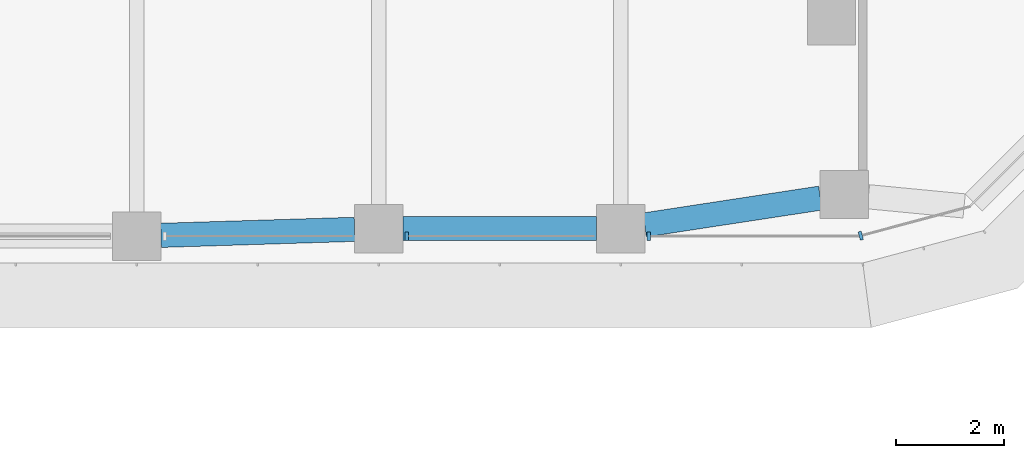
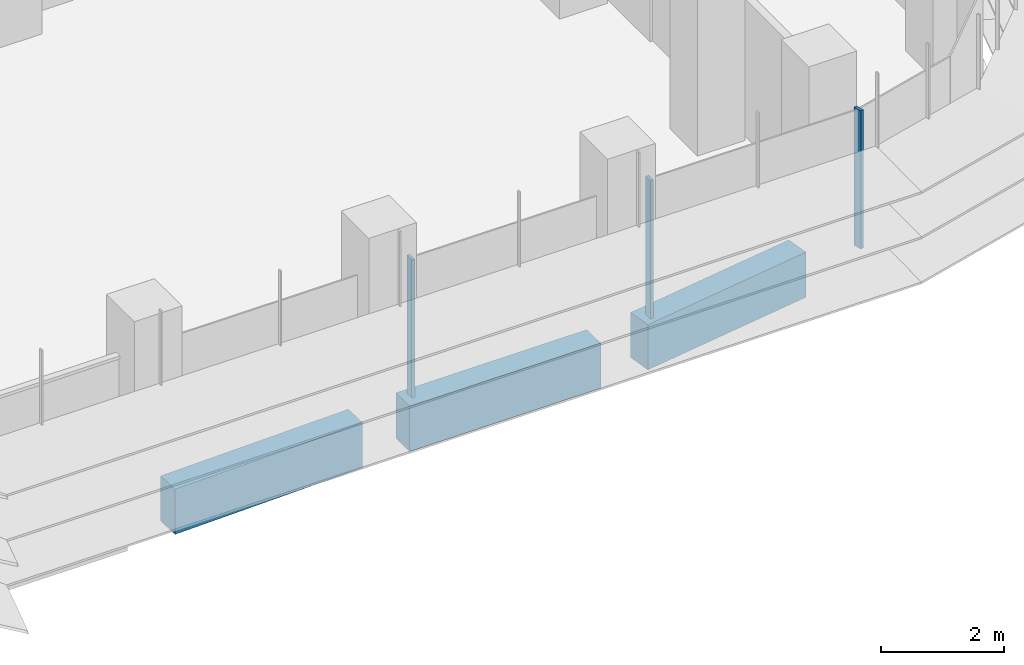
# One storey, part 5 of 21: 3 beams, 3 members, 2 elements without a shape of their own.
"""IFC4 building model written with IfcOpenShell, lengths in metres."""

from ifc_helpers import new_model, si_unit, direction, frame, origin, origin_2d, place, context, subcontext, project, spatial, polyline, rectangle, outline, extrude, source, transform, mapped, material, material_profile, profile_set, type_object, element, aggregate, save


model = new_model("IFC4")

# Units and contexts
model_context = context("Model", 3, precision=1e-05, world=origin(), true_north=direction((0.0, 1.0)))
body_context = subcontext(model_context, "Body", "Model", "MODEL_VIEW")
ifc_project = project(units=[si_unit("LENGTHUNIT", "METRE"), si_unit("AREAUNIT", "SQUARE_METRE"), si_unit("VOLUMEUNIT", "CUBIC_METRE"), si_unit("PLANEANGLEUNIT", "RADIAN"), si_unit("MASSUNIT", "GRAM", prefix="KILO")], contexts=[model_context])

# Site, building, storey
site_placement = place(None, origin())
site = spatial("IfcSite", under=ifc_project, at=site_placement, CompositionType="ELEMENT")
building_placement = place(site_placement, origin())
building = spatial("IfcBuilding", under=site, at=building_placement, Name="Zarbagh Exchange Tower", CompositionType="ELEMENT")
storey_placement = place(building_placement, frame((0.0, 0.0, 120.800048828125)))
storey = spatial("IfcBuildingStorey", under=building, at=storey_placement, Name="L28", CompositionType="ELEMENT", Elevation=120.800048828125)

# Beams
ifc_material_1 = material(Name="Concrete C60/75", Category="concrete")
ifc_material_profile = material_profile(ifc_material_1, rectangle(XDim=0.449951171875, YDim=0.89990234375, at=origin_2d()), Name="RC spandrel beam 450 x 900 C60/75")
ifc_profile_set = profile_set([ifc_material_profile], Name="Concrete C60/75")
beam_type = type_object("IfcBeamType", Name="RC spandrel beam 450 x 900 C60/75", PredefinedType="SPANDREL", material=ifc_profile_set)
beam_1_placement = place(storey_placement, frame((28.463134765625, -5.54296875, -0.60009765625), z_axis=(-0.988543505948, -0.150936201252, 0.0), x_axis=(0.150936201252, -0.988543505948, 0.0)))
element("IfcBeam", 1, at=beam_1_placement, inside=storey, type_object=beam_type, Name="RC spandrel beam", PredefinedType="SPANDREL", context=body_context, shape_type="SweptSolid", body=[
    extrude(rectangle(XDim=0.449951171875, YDim=0.89990234375, at=origin_2d()), origin(), (0.0, 0.0, 1.0), 3.30615234375),
])
beam_2_placement = place(storey_placement, frame((24.300048828125, -6.110107421875, -0.60009765625), z_axis=(-1.0, 0.0, 0.0), x_axis=(0.0, -1.0, 0.0)))
element("IfcBeam", 2, at=beam_2_placement, inside=storey, type_object=beam_type, Name="RC spandrel beam", PredefinedType="SPANDREL", context=body_context, shape_type="SweptSolid", body=[
    extrude(rectangle(XDim=0.449951171875, YDim=0.89990234375, at=origin_2d()), origin(), (0.0, 0.0, 1.0), 3.60009765625),
])
beam_3_placement = place(storey_placement, frame((19.80029296875, -6.1240234375, -0.60009765625), z_axis=(-0.999516035224, -0.031107801747, 0.0), x_axis=(0.031107801747, -0.999516035224, 0.0)))
element("IfcBeam", 3, at=beam_3_placement, inside=storey, type_object=beam_type, Name="RC spandrel beam", PredefinedType="SPANDREL", context=body_context, shape_type="SweptSolid", body=[
    extrude(rectangle(XDim=0.449951171875, YDim=0.89990234375, at=origin_2d()), origin(), (0.0, 0.0, 1.0), 3.602294921875),
])

# Curtain wall, members
ifc_material_2 = material(Name="Anodised aluminium frame and glazing", Category="aluminium")
curtain_wall_type = type_object("IfcCurtainWallType", Name="CWA Ribbon glazing, lower zones", PredefinedType="NOTDEFINED", material=ifc_material_2)
curtain_wall_1_placement = place(storey_placement, origin())
curtain_wall_1 = element("IfcCurtainWall", 4, at=curtain_wall_1_placement, inside=storey, type_object=curtain_wall_type, Name="CWA08 curtain wall", PredefinedType="NOTDEFINED")
ifc_material_3 = material(Name="Anodised aluminium frame", Category="aluminium")
member_type = type_object("IfcMemberType", Name="MUA Mullion, anodised aluminium frame", PredefinedType="MULLION", material=ifc_material_3)
shared_shape = source(origin(), body_context, "Body", "SweptSolid", [
    extrude(outline(polyline([(0.0, -0.080078125), (0.06005859375, -0.080078125), (0.06005859375, 0.080078125), (0.0, 0.080078125), (0.0, -0.080078125)])), origin(), (0.0, 0.0, 1.0), 2.75),
])
placement = place(storey_placement, origin())
member_1 = element("IfcMember", 5, at=placement, type_object=member_type, Name="CWA08 mullion 3.1", PredefinedType="MULLION", context=body_context, shape_type="MappedRepresentation", body=[
    mapped(shared_shape, transform((20.739990234375, -6.25, 0.0), x_axis=(1.0, 0.0, 0.0), y_axis=(0.0, 1.0, 0.0), z_axis=(0.0, 0.0, 1.0))),
])
member_2 = element("IfcMember", 6, at=placement, type_object=member_type, Name="CWA08 mullion 4.1", PredefinedType="MULLION", context=body_context, shape_type="MappedRepresentation", body=[
    mapped(shared_shape, transform((25.239990234375, -6.25, 0.0), x_axis=(1.0, 0.0, 0.0), y_axis=(0.0, 1.0, 0.0), z_axis=(0.0, 0.0, 1.0))),
])
aggregate(curtain_wall_1, [member_1, member_2])

# Curtain wall, member
curtain_wall_2_placement = place(storey_placement, origin())
curtain_wall_2 = element("IfcCurtainWall", 7, at=curtain_wall_2_placement, inside=storey, type_object=curtain_wall_type, Name="CWA09 curtain wall", PredefinedType="NOTDEFINED")
member_3 = element("IfcMember", 8, at=placement, type_object=member_type, Name="CWA09 mullion 1.1", PredefinedType="MULLION", context=body_context, shape_type="MappedRepresentation", body=[
    mapped(shared_shape, transform((29.18408203125, -6.25, 0.0), x_axis=(0.965924289636, 0.258824779902, 0.0), y_axis=(-0.258824779902, 0.965924289636, 0.0), z_axis=(0.0, 0.0, 1.0))),
])
aggregate(curtain_wall_2, [member_3])

save(model, "model.ifc")
